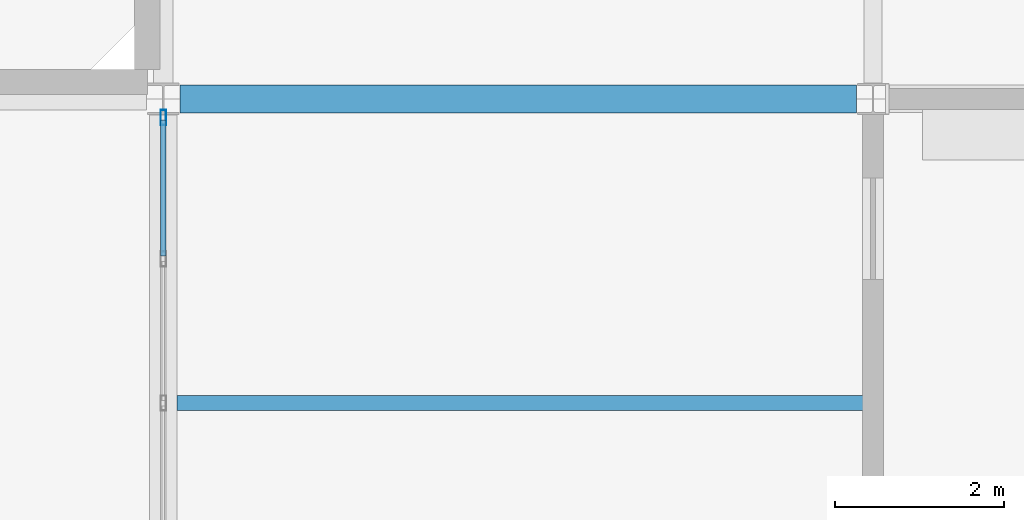
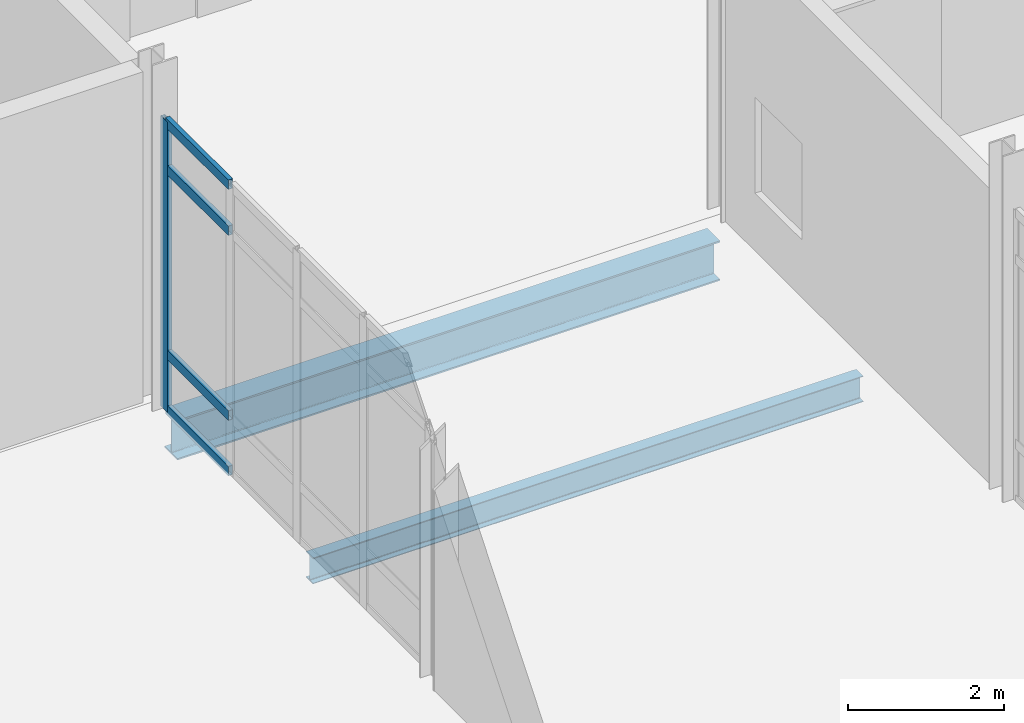
# One storey, part 94 of 229: 5 members, 2 beams, 1 element without a shape of its own.
"""IFC4 building model written with IfcOpenShell, lengths in metres."""

from ifc_helpers import new_model, si_unit, direction, frame, origin, origin_2d, place, context, subcontext, project, spatial, hollow_rectangle, i_section, extrude, material, layer, layer_set, material_profile, profile_set, type_object, element, aggregate, save


model = new_model("IFC4")

# Units and contexts
model_context = context("Model", 3, precision=1e-05, world=origin(), true_north=direction((0.0, 1.0)))
body_context = subcontext(model_context, "Body", "Model", "MODEL_VIEW")
ifc_project = project(units=[si_unit("LENGTHUNIT", "METRE"), si_unit("AREAUNIT", "SQUARE_METRE"), si_unit("VOLUMEUNIT", "CUBIC_METRE"), si_unit("PLANEANGLEUNIT", "RADIAN"), si_unit("MASSUNIT", "GRAM", prefix="KILO")], contexts=[model_context])

# Site, building, storey
site_placement = place(None, origin())
site = spatial("IfcSite", under=ifc_project, at=site_placement, CompositionType="ELEMENT")
building_placement = place(site_placement, origin())
building = spatial("IfcBuilding", under=site, at=building_placement, Name="Calvrana Isthmian Art Gallery", CompositionType="ELEMENT")
storey_placement = place(building_placement, origin())
storey = spatial("IfcBuildingStorey", under=building, at=storey_placement, Name="L00", CompositionType="ELEMENT", Elevation=0.0)

# Beams
ifc_material_1 = material(Name="Steel ASTM A992 Gr 50", Category="steel")
ifc_material_profile_1 = material_profile(ifc_material_1, i_section(OverallWidth=0.327880859375, OverallDepth=0.6220703125, WebThickness=0.015380859375, FlangeThickness=0.0244140625, FilletRadius=0.02197265625, at=origin_2d()), Name="W24X131")
ifc_profile_set_1 = profile_set([ifc_material_profile_1], Name="Steel ASTM A992 Gr 50")
beam_type_1 = type_object("IfcBeamType", Name="BM-G-W24X131", PredefinedType="BEAM", material=ifc_profile_set_1)
beam_1_placement = place(storey_placement, frame((55.39794921875, 98.39990234375, -0.595947265625), z_axis=(1.0, 0.0, 0.0), x_axis=(0.0, 1.0, 0.0)))
element("IfcBeam", 1, at=beam_1_placement, inside=storey, type_object=beam_type_1, Name="Girder X L00 08-09/N", PredefinedType="BEAM", context=body_context, shape_type="SweptSolid", body=[
    extrude(i_section(OverallWidth=0.327880859375, OverallDepth=0.6220703125, WebThickness=0.015380859375, FlangeThickness=0.0244140625, FilletRadius=0.02197265625, at=origin_2d()), origin(), (0.0, 0.0, 1.0), 8.005126953125),
])
ifc_material_profile_2 = material_profile(ifc_material_1, i_section(OverallWidth=0.177978515625, OverallDepth=0.404052734375, WebThickness=0.007568359375, FlangeThickness=0.010986328125, FilletRadius=0.01806640625, at=origin_2d()), Name="W16X36")
ifc_profile_set_2 = profile_set([ifc_material_profile_2], Name="Steel ASTM A992 Gr 50")
beam_type_2 = type_object("IfcBeamType", Name="BM-J-W16X36", PredefinedType="JOIST", material=ifc_profile_set_2)
beam_2_placement = place(storey_placement, frame((55.362548828125, 94.800048828125, -0.487060546875), z_axis=(1.0, 0.0, 0.0), x_axis=(0.0, 1.0, 0.0)))
element("IfcBeam", 2, at=beam_2_placement, inside=storey, type_object=beam_type_2, Name="Composite joist L00 bay 07-12", PredefinedType="JOIST", context=body_context, shape_type="SweptSolid", body=[
    extrude(i_section(OverallWidth=0.177978515625, OverallDepth=0.404052734375, WebThickness=0.007568359375, FlangeThickness=0.010986328125, FilletRadius=0.01806640625, at=origin_2d()), origin(), (0.0, 0.0, 1.0), 8.12353515625),
])

# Curtain wall, members
ifc_material_2 = material(Name="Anodized bronze aluminium 6063-T6", Category="aluminium")
ifc_layer = layer(ifc_material_2, 0.179931640625, Name="Anodized bronze aluminium 6063-T6")
ifc_layer_set = layer_set([ifc_layer], Name="Anodized bronze aluminium 6063-T6")
curtain_wall_type = type_object("IfcCurtainWallType", Name="CW-STICK-068X45", PredefinedType="NOTDEFINED", material=ifc_layer_set)
curtain_wall_placement = place(storey_placement, origin())
curtain_wall = element("IfcCurtainWall", 3, at=curtain_wall_placement, inside=storey, type_object=curtain_wall_type, Name="Curtain wall CW-062", PredefinedType="NOTDEFINED")
ifc_material_profile_3 = material_profile(ifc_material_2, hollow_rectangle(XDim=0.06494140625, YDim=0.179931640625, WallThickness=0.00439453125, at=origin_2d()), Name="CWM65X180")
ifc_profile_set_3 = profile_set([ifc_material_profile_3], Name="Anodized bronze aluminium 6063-T6")
member_type_1 = type_object("IfcMemberType", Name="CWM-CWM65X180", PredefinedType="MULLION", material=ifc_profile_set_3)
member_1_placement = place(storey_placement, frame((55.199951171875, 98.180908203125, 0.0), z_axis=(0.0, 0.0, 1.0), x_axis=(-1.0, 0.0, 0.0)))
member_1 = element("IfcMember", 4, at=member_1_placement, type_object=member_type_1, Name="CW-062 mullion 5", PredefinedType="MULLION", context=body_context, shape_type="SweptSolid", body=[
    extrude(hollow_rectangle(XDim=0.06494140625, YDim=0.179931640625, WallThickness=0.00439453125, at=origin_2d()), origin(), (0.0, 0.0, 1.0), 4.532958984375),
])
ifc_material_profile_4 = material_profile(ifc_material_2, hollow_rectangle(XDim=0.06494140625, YDim=0.14990234375, WallThickness=0.00390625, at=origin_2d()), Name="CWT65X150")
ifc_profile_set_4 = profile_set([ifc_material_profile_4], Name="Anodized bronze aluminium 6063-T6")
member_type_2 = type_object("IfcMemberType", Name="CWT-CWT65X150", PredefinedType="USERDEFINED", material=ifc_profile_set_4)
member_2_placement = place(storey_placement, frame((55.199951171875, 96.53857421875, 0.032470703125), z_axis=(0.0, 1.0, 0.0), x_axis=(-1.0, 0.0, 0.0)))
member_2 = element("IfcMember", 5, at=member_2_placement, type_object=member_type_2, Name="CW-062 transom 4.1", ObjectType="TRANSOM", PredefinedType="USERDEFINED", context=body_context, shape_type="SweptSolid", body=[
    extrude(hollow_rectangle(XDim=0.06494140625, YDim=0.14990234375, WallThickness=0.00390625, at=origin_2d()), origin(), (0.0, 0.0, 1.0), 1.60986328125),
])
member_3_placement = place(storey_placement, frame((55.199951171875, 96.53857421875, 0.89990234375), z_axis=(0.0, 1.0, 0.0), x_axis=(-1.0, 0.0, 0.0)))
member_3 = element("IfcMember", 6, at=member_3_placement, type_object=member_type_2, Name="CW-062 transom 4.2", ObjectType="TRANSOM", PredefinedType="USERDEFINED", context=body_context, shape_type="SweptSolid", body=[
    extrude(hollow_rectangle(XDim=0.06494140625, YDim=0.14990234375, WallThickness=0.00390625, at=origin_2d()), origin(), (0.0, 0.0, 1.0), 1.60986328125),
])
member_4_placement = place(storey_placement, frame((55.199951171875, 96.53857421875, 3.782958984375), z_axis=(0.0, 1.0, 0.0), x_axis=(-1.0, 0.0, 0.0)))
member_4 = element("IfcMember", 7, at=member_4_placement, type_object=member_type_2, Name="CW-062 transom 4.3", ObjectType="TRANSOM", PredefinedType="USERDEFINED", context=body_context, shape_type="SweptSolid", body=[
    extrude(hollow_rectangle(XDim=0.06494140625, YDim=0.14990234375, WallThickness=0.00390625, at=origin_2d()), origin(), (0.0, 0.0, 1.0), 1.60986328125),
])
member_5_placement = place(storey_placement, frame((55.199951171875, 96.53857421875, 4.50048828125), z_axis=(0.0, 1.0, 0.0), x_axis=(-1.0, 0.0, 0.0)))
member_5 = element("IfcMember", 8, at=member_5_placement, type_object=member_type_2, Name="CW-062 transom 4.4", ObjectType="TRANSOM", PredefinedType="USERDEFINED", context=body_context, shape_type="SweptSolid", body=[
    extrude(hollow_rectangle(XDim=0.06494140625, YDim=0.14990234375, WallThickness=0.00390625, at=origin_2d()), origin(), (0.0, 0.0, 1.0), 1.60986328125),
])
aggregate(curtain_wall, [member_1, member_2, member_3, member_4, member_5])

save(model, "model.ifc")
